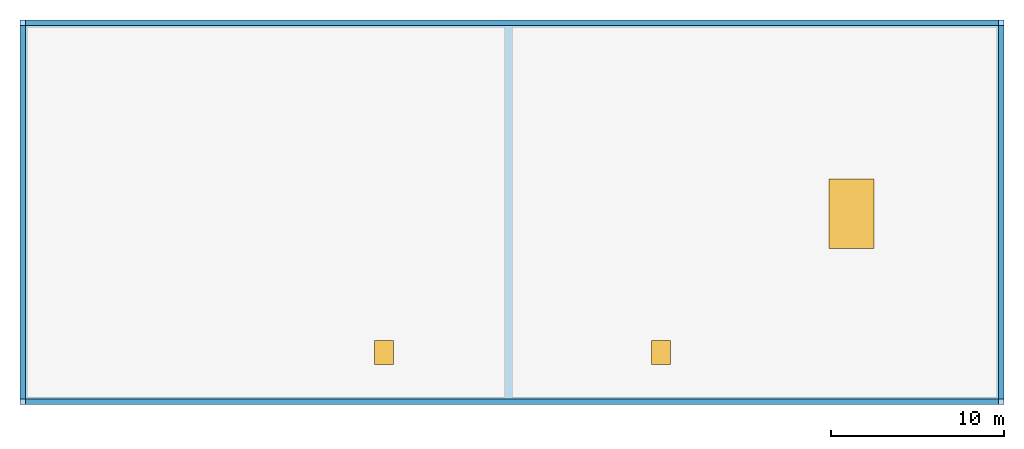
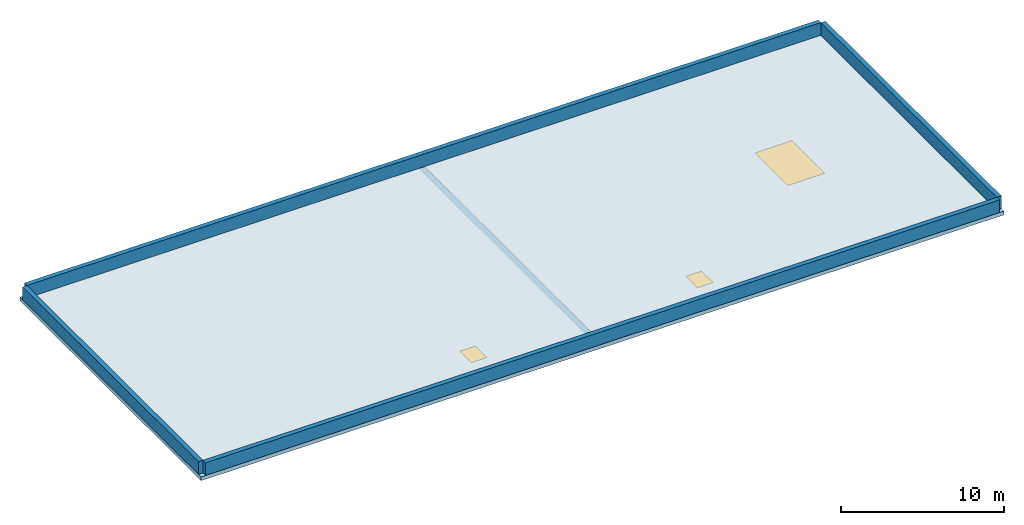
"""IFC4 building model written with IfcOpenShell, lengths in metres."""

from ifc_helpers import new_model, si_unit, direction, frame, frame_2d, origin, origin_2d, place, context, subcontext, project, spatial, polyline, rectangle, outline, extrude, material, layer, layer_set, type_object, element, fill, save


model = new_model("IFC4")

# Units and contexts
model_context = context("Model", 3, precision=1e-05, world=origin(), true_north=direction((0.0, 1.0)))
body_context = subcontext(model_context, "Body", "Model", "MODEL_VIEW")
ifc_project = project(units=[si_unit("LENGTHUNIT", "METRE"), si_unit("AREAUNIT", "SQUARE_METRE"), si_unit("VOLUMEUNIT", "CUBIC_METRE"), si_unit("PLANEANGLEUNIT", "RADIAN"), si_unit("MASSUNIT", "GRAM", prefix="KILO")], contexts=[model_context])

# Site, building, storey
site_placement = place(None, origin())
site = spatial("IfcSite", under=ifc_project, at=site_placement, CompositionType="ELEMENT")
building_placement = place(site_placement, origin())
building = spatial("IfcBuilding", under=site, at=building_placement, Name="Valkorina Park Police Headquarters", CompositionType="ELEMENT")
storey_1_placement = place(building_placement, frame((0.0, 0.0, 35.0)))
storey_1 = spatial("IfcBuildingStorey", under=building, at=storey_1_placement, Name="RF", CompositionType="ELEMENT", Elevation=35.0)

# Slab, openings
ifc_material_1 = material(Name="Concrete C35/45", Category="concrete")
ifc_layer_1 = layer(ifc_material_1, 0.280029296875)
ifc_layer_set_1 = layer_set([ifc_layer_1], Name="Concrete C35/45")
slab_type = type_object("IfcSlabType", Name="SL-ROOF-FLAT-280", PredefinedType="ROOF", material=ifc_layer_set_1)
slab_placement = place(storey_1_placement, frame((0.0, 0.0, -0.280029296875)))
slab = element("IfcSlab", 1, at=slab_placement, inside=storey_1, type_object=slab_type, Name="RF Flat Roof Deck SLAB-RF-MAIN-V5", PredefinedType="ROOF", context=body_context, shape_type="SweptSolid", body=[
    extrude(outline(polyline([(56.800048828125, 59.19189453125), (0.0, 59.19189453125), (0.0, 37.0), (56.800048828125, 37.0), (56.800048828125, 59.19189453125)])), origin(), (0.0, 0.0, 1.0), 0.280029296875),
])
opening_1_placement = place(slab_placement, frame((21.0, 40.0, -0.010009765625)))
opening_1 = element("IfcOpeningElement", 2, at=opening_1_placement, cuts=slab, Name="Opening SK-06", PredefinedType="OPENING", context=body_context, shape_type="SweptSolid", body=[
    extrude(rectangle(XDim=1.10009765625, YDim=1.39990234375, at=origin_2d()), origin(), (0.0, 0.0, 1.0), 0.300048828125),
])
opening_2_placement = place(slab_placement, frame((37.0, 40.0, -0.010009765625)))
opening_2 = element("IfcOpeningElement", 3, at=opening_2_placement, cuts=slab, Name="Opening SK-06", PredefinedType="OPENING", context=body_context, shape_type="SweptSolid", body=[
    extrude(rectangle(XDim=1.10009765625, YDim=1.39990234375, at=origin_2d()), origin(), (0.0, 0.0, 1.0), 0.300048828125),
])
opening_3_placement = place(slab_placement, frame((48.0, 48.0, -0.010009765625)))
opening_3 = element("IfcOpeningElement", 4, at=opening_3_placement, cuts=slab, Name="Opening SK-03", PredefinedType="OPENING", context=body_context, shape_type="SweptSolid", body=[
    extrude(rectangle(XDim=2.60009765625, YDim=4.0, at=origin_2d()), origin(), (0.0, 0.0, 1.0), 0.300048828125),
])

# Storey
storey_2_placement = place(building_placement, frame((0.0, 0.0, 31.10009765625)))
storey_2 = spatial("IfcBuildingStorey", under=building, at=storey_2_placement, Name="L08", CompositionType="ELEMENT", Elevation=31.10009765625)

# Window
ifc_material_2 = material(Name="Thermally broken aluminium AW-6060", Category="aluminium")
ifc_layer_2 = layer(ifc_material_2, 0.06005859375)
ifc_layer_set_2 = layer_set([ifc_layer_2], Name="Thermally broken aluminium AW-6060")
window_type_1 = type_object("IfcWindowType", Name="SK-HATCH-1100x1400", PartitioningType="SINGLE_PANEL", PredefinedType="SKYLIGHT", material=ifc_layer_set_2)
window_1_placement = place(slab_placement, frame((21.0, 40.0, 0.22998046875)))
window_1 = element("IfcWindow", 5, at=window_1_placement, inside=storey_2, type_object=window_type_1, Name="L08 Roof Skylight and Hatch 8", OverallHeight=1.39990234375, OverallWidth=1.10009765625, PartitioningType="SINGLE_PANEL", PredefinedType="SKYLIGHT", context=body_context, shape_type="SweptSolid", body=[
    extrude(rectangle(XDim=1.10009765625, YDim=1.39990234375, at=origin_2d()), origin(), (0.0, 0.0, 1.0), 0.050048828125),
])

fill(opening_1, window_1)

window_2_placement = place(slab_placement, frame((37.0, 40.0, 0.22998046875)))
window_2 = element("IfcWindow", 6, at=window_2_placement, inside=storey_2, type_object=window_type_1, Name="L08 Roof Skylight and Hatch 9", OverallHeight=1.39990234375, OverallWidth=1.10009765625, PartitioningType="SINGLE_PANEL", PredefinedType="SKYLIGHT", context=body_context, shape_type="SweptSolid", body=[
    extrude(rectangle(XDim=1.10009765625, YDim=1.39990234375, at=origin_2d()), origin(), (0.0, 0.0, 1.0), 0.050048828125),
])

fill(opening_2, window_2)

ifc_material_3 = material(Name="Triple low-E insulated glazing", Category="glass")
ifc_layer_3 = layer(ifc_material_3, 0.06005859375)
ifc_layer_set_3 = layer_set([ifc_layer_3], Name="Triple low-E insulated glazing")
window_type_2 = type_object("IfcWindowType", Name="SK-SAW-2600x4000", PartitioningType="SINGLE_PANEL", PredefinedType="SKYLIGHT", material=ifc_layer_set_3)
window_3_placement = place(slab_placement, frame((48.0, 48.0, 0.22998046875)))
window_3 = element("IfcWindow", 7, at=window_3_placement, inside=storey_2, type_object=window_type_2, Name="L08 Roof Skylight and Hatch 10", OverallHeight=4.0, OverallWidth=2.60009765625, PartitioningType="SINGLE_PANEL", PredefinedType="SKYLIGHT", context=body_context, shape_type="SweptSolid", body=[
    extrude(rectangle(XDim=2.60009765625, YDim=4.0, at=origin_2d()), origin(), (0.0, 0.0, 1.0), 0.050048828125),
])

fill(opening_3, window_3)

# Walls
ifc_material_4 = material(Name="Precast concrete C40/50", Category="concrete")
ifc_layer_4 = layer(ifc_material_4, 0.320068359375)
ifc_layer_set_4 = layer_set([ifc_layer_4], Name="Precast concrete C40/50")
wall_type = type_object("IfcWallType", Name="WL-PARAPET-320", PredefinedType="PARAPET", material=ifc_layer_set_4)
wall_1_placement = place(storey_1_placement, frame((56.47998046875, 37.159912109375, 0.0), z_axis=(0.0, 0.0, 1.0), x_axis=(-1.0, 0.0, 0.0)))
element("IfcWall", 8, at=wall_1_placement, inside=storey_1, type_object=wall_type, Name="RF Precast Roof Parapet 16", PredefinedType="PARAPET", context=body_context, shape_type="SweptSolid", body=[
    extrude(rectangle(XDim=56.159912109375, YDim=0.320068359375, at=frame_2d((28.080078125, 0.0))), origin(), (0.0, 0.0, 1.0), 0.949951171875),
])
wall_2_placement = place(storey_1_placement, frame((0.159912109375, 37.320068359375, 0.0), z_axis=(0.0, 0.0, 1.0), x_axis=(0.0, 1.0, 0.0)))
element("IfcWall", 9, at=wall_2_placement, inside=storey_1, type_object=wall_type, Name="RF Precast Roof Parapet 17", PredefinedType="PARAPET", context=body_context, shape_type="SweptSolid", body=[
    extrude(rectangle(XDim=21.552001953125, YDim=0.320068359375, at=frame_2d((10.77587890625, 0.0))), origin(), (0.0, 0.0, 1.0), 0.949951171875),
])
wall_3_placement = place(storey_1_placement, frame((0.320068359375, 59.031982421875, 0.0), z_axis=(0.0, 0.0, 1.0), x_axis=(1.0, 0.0, 0.0)))
element("IfcWall", 10, at=wall_3_placement, inside=storey_1, type_object=wall_type, Name="RF Precast Roof Parapet 18", PredefinedType="PARAPET", context=body_context, shape_type="SweptSolid", body=[
    extrude(rectangle(XDim=56.159912109375, YDim=0.320068359375, at=frame_2d((28.080078125, 0.0))), origin(), (0.0, 0.0, 1.0), 0.949951171875),
])
wall_4_placement = place(storey_1_placement, frame((56.639892578125, 58.8720703125, 0.0), z_axis=(0.0, 0.0, 1.0), x_axis=(0.0, -1.0, 0.0)))
element("IfcWall", 11, at=wall_4_placement, inside=storey_1, type_object=wall_type, Name="RF Precast Roof Parapet 19", PredefinedType="PARAPET", context=body_context, shape_type="SweptSolid", body=[
    extrude(rectangle(XDim=21.552001953125, YDim=0.320068359375, at=frame_2d((10.77587890625, 0.0))), origin(), (0.0, 0.0, 1.0), 0.949951171875),
])

save(model, "model.ifc")
